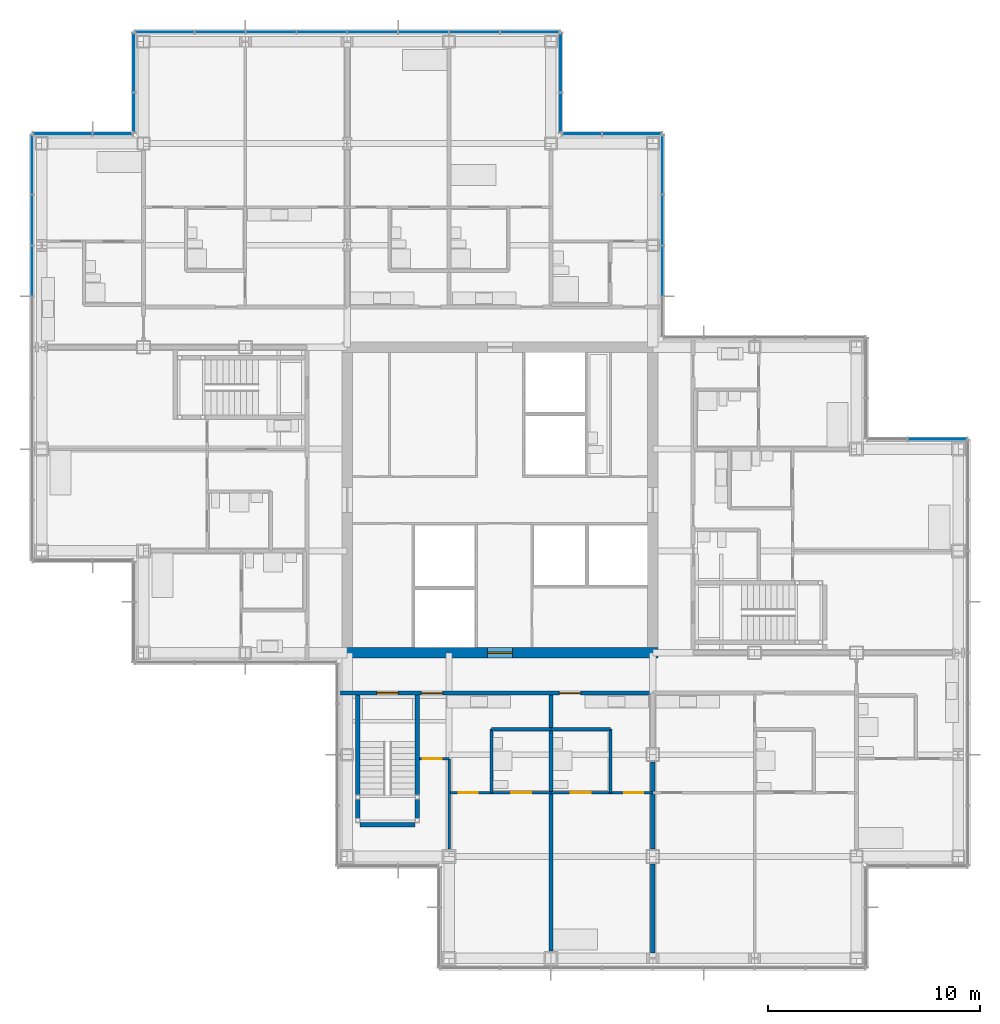
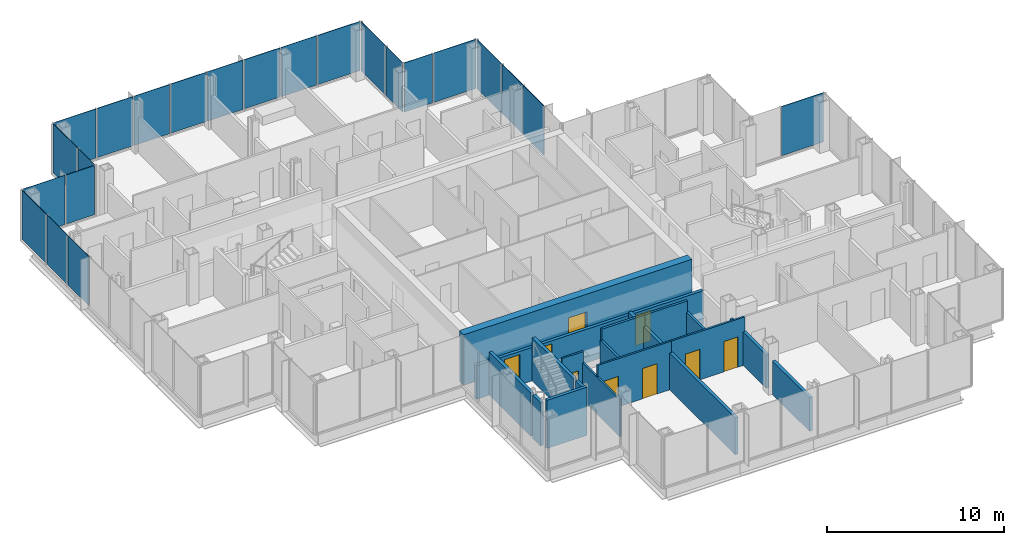
# One storey, part 12 of 19: 23 plates, 18 walls, 9 doors, 9 openings, 8 elements without a shape of their own.
"""IFC4 building model written with IfcOpenShell, lengths in metres."""

import ifcopenshell
import ifcopenshell.guid

model = None  # the IFC model being written
_history = None  # IfcOwnerHistory: only IFC2X3 demands one
_inside = {}  # id of a spatial element -> (the spatial element, [elements in it])
_under = {}  # id of a project, library or spatial element -> (it, [spatial elements below it])
_declared = {}  # id of a project -> (the project, [libraries it declares])
_typed = {}  # id of a type object -> (the type object, [elements of that type])
_made_of = {}  # id of a material, layer set ... -> (it, [elements and type objects made of it])


def new_model(schema):
    """Start an empty IFC model of exactly this schema.

    Asked for "IFC4X3", IfcOpenShell would pick the latest addendum, in which some entities
    have other attributes; the version numbers below select the first issue.
    IFC2X3 requires an IfcOwnerHistory on every rooted entity: one is made here for all.
    """
    global model, _history
    if schema == "IFC4X3":
        model = ifcopenshell.file(schema_version=(4, 3, 0, 0))
    else:
        model = ifcopenshell.file(schema=schema)
    _inside.clear()
    _under.clear()
    _declared.clear()
    _typed.clear()
    _made_of.clear()
    _history = None
    if model.schema == "IFC2X3":
        org = make("IfcOrganization", Name="unknown")
        user = make(
            "IfcPersonAndOrganization",
            ThePerson=make("IfcPerson", FamilyName="unknown"),
            TheOrganization=org,
        )
        app = make(
            "IfcApplication",
            ApplicationDeveloper=org,
            Version="unknown",
            ApplicationFullName="unknown",
            ApplicationIdentifier="unknown",
        )
        _history = make(
            "IfcOwnerHistory",
            OwningUser=user,
            OwningApplication=app,
            ChangeAction="ADDED",
            CreationDate=0,
        )
    return model


def make(cls, **values):
    """One entity of the class cls with the attributes given. An attribute that is None is left unset."""
    return model.create_entity(
        cls, **{name: value for name, value in values.items() if value is not None}
    )


def rooted(cls, **values):
    """An entity with a GlobalId (a new one), such as an element, a storey or a relation."""
    return make(cls, GlobalId=ifcopenshell.guid.new(), OwnerHistory=_history, **values)


def si_unit(unit_type, name, prefix=None):
    """IfcSIUnit, for example si_unit("LENGTHUNIT", "METRE", prefix="MILLI")."""
    return make("IfcSIUnit", UnitType=unit_type, Prefix=prefix, Name=name)


def assignment(units):
    """IfcUnitAssignment: the units of a project."""
    return None if units is None else make("IfcUnitAssignment", Units=units)


def point(xyz):
    """IfcCartesianPoint."""
    return None if xyz is None else make("IfcCartesianPoint", Coordinates=xyz)


def direction(xyz):
    """IfcDirection."""
    return None if xyz is None else make("IfcDirection", DirectionRatios=xyz)


def frame(location, z_axis=None, x_axis=None):
    """IfcAxis2Placement3D, a coordinate frame: its origin and axes. An axis left out is left unset."""
    return make(
        "IfcAxis2Placement3D",
        Location=point(location),
        Axis=direction(z_axis),
        RefDirection=direction(x_axis),
    )


def frame_2d(location, x_axis=None):
    """IfcAxis2Placement2D, a coordinate frame in the plane: its origin and x axis."""
    return make(
        "IfcAxis2Placement2D", Location=point(location), RefDirection=direction(x_axis)
    )


def origin():
    """The frame at (0, 0, 0) with its axes left unset."""
    return frame((0.0, 0.0, 0.0))


def origin_2d():
    """The frame at (0, 0) in the plane with its x axis left unset."""
    return frame_2d((0.0, 0.0))


def place(relative_to, where):
    """IfcLocalPlacement: puts the frame where relative to a parent placement (None: the world)."""
    return make(
        "IfcLocalPlacement", PlacementRelTo=relative_to, RelativePlacement=where
    )


def context(
    kind, dimensions, precision=None, world=None, true_north=None, identifier=None
):
    """IfcGeometricRepresentationContext, for example the 3D "Model" context."""
    return make(
        "IfcGeometricRepresentationContext",
        ContextIdentifier=identifier,
        ContextType=kind,
        CoordinateSpaceDimension=dimensions,
        Precision=precision,
        WorldCoordinateSystem=world,
        TrueNorth=true_north,
    )


def subcontext(parent, identifier, kind, view, scale=None):
    """IfcGeometricRepresentationSubContext, for example "Body" below "Model"."""
    return make(
        "IfcGeometricRepresentationSubContext",
        ContextIdentifier=identifier,
        ContextType=kind,
        ParentContext=parent,
        TargetScale=scale,
        TargetView=view,
    )


def project(units=None, contexts=None):
    """IfcProject with its units and contexts."""
    return rooted(
        "IfcProject",
        Name="project",
        RepresentationContexts=contexts,
        UnitsInContext=assignment(units),
    )


def spatial(cls, under=None, at=None, **own):
    """A site, building, storey or space (cls), placed at a placement, below another one or the project."""
    s = rooted(cls, ObjectPlacement=at, **own)
    if under is not None:
        _under.setdefault(under.id(), (under, []))[1].append(s)
    return s


def profile(cls, at=None, kind="AREA", **sizes):
    """A parametric profile (cls). Its sizes go by their IFC names, for example OverallWidth=200.0."""
    return make(cls, ProfileType=kind, Position=at, **sizes)


def rectangle(**sizes):
    """IfcRectangleProfileDef."""
    return profile("IfcRectangleProfileDef", **sizes)


def extrude(swept, where, along, depth):
    """IfcExtrudedAreaSolid: the profile swept, set in the frame where, extruded along a direction by depth."""
    return make(
        "IfcExtrudedAreaSolid",
        SweptArea=swept,
        Position=where,
        ExtrudedDirection=direction(along),
        Depth=depth,
    )


def shape(context_of_items, identifier, shape_type, items):
    """IfcShapeRepresentation: the items that make up one representation, for example the "Body"."""
    return make(
        "IfcShapeRepresentation",
        ContextOfItems=context_of_items,
        RepresentationIdentifier=identifier,
        RepresentationType=shape_type,
        Items=items,
    )


def material(Name=None, Category=None):
    """IfcMaterial."""
    return make("IfcMaterial", Name=Name, Category=Category)


def layer(
    of_material, thickness, ventilated=None, Name=None, Category=None, Priority=None
):
    """IfcMaterialLayer: one layer of a wall or slab, of a material (None: an air gap)."""
    return make(
        "IfcMaterialLayer",
        Material=of_material,
        LayerThickness=thickness,
        IsVentilated=ventilated,
        Name=Name,
        Category=Category,
        Priority=Priority,
    )


def layer_set(layers, Name=None):
    """IfcMaterialLayerSet."""
    return make("IfcMaterialLayerSet", MaterialLayers=layers, LayerSetName=Name)


def made_of(thing, what):
    """Note that an element or type object is made of a material, layer set ...; save() writes the relation."""
    if what is not None:
        _made_of.setdefault(what.id(), (what, []))[1].append(thing)
    return thing


def type_object(cls, material=None, **own):
    """A type object (cls), such as IfcWallType, which elements share."""
    return made_of(rooted(cls, **own), material)


def element(
    cls,
    number,
    at=None,
    inside=None,
    cuts=None,
    type_object=None,
    material=None,
    context=None,
    identifier="Body",
    shape_type=None,
    held_by="IfcProductDefinitionShape",
    body=None,
    shapes=None,
    **own,
):
    """One element of the class cls, such as IfcWall. Its Tag is "e" and its number.

    at: its placement. inside: the storey or other place that contains it. cuts: it is an
    opening in that element (IfcRelVoidsElement). A single representation is given by context,
    identifier, shape_type and body (its items); several are given by shapes. held_by: the class
    of the entity that holds the representations. save() writes the other relations.
    """
    e = rooted(cls, Tag="e%d" % number, ObjectPlacement=at, **own)
    if body is not None:
        shapes = [shape(context, identifier, shape_type, body)]
    if shapes is not None:
        e.Representation = make(held_by, Representations=shapes)
    if inside is not None:
        _inside.setdefault(inside.id(), (inside, []))[1].append(e)
    if cuts is not None:
        rooted(
            "IfcRelVoidsElement", RelatingBuildingElement=cuts, RelatedOpeningElement=e
        )
    if type_object is not None:
        _typed.setdefault(type_object.id(), (type_object, []))[1].append(e)
    return made_of(e, material)


def fill(opening, filler):
    """IfcRelFillsElement: the door or window that sits in an opening."""
    return rooted(
        "IfcRelFillsElement",
        RelatingOpeningElement=opening,
        RelatedBuildingElement=filler,
    )


def aggregate(whole, parts):
    """IfcRelAggregates: a whole, such as a stair, and the parts it consists of."""
    return rooted("IfcRelAggregates", RelatingObject=whole, RelatedObjects=parts)


def save(model, path):
    """Write the relations noted so far, then the file.

    IfcRelAggregates (storeys below a building ...), IfcRelContainedInSpatialStructure (elements
    in a storey), IfcRelDefinesByType, IfcRelAssociatesMaterial and IfcRelDeclares: one each for
    every whole, place, type object, material and project.
    """
    for whole, parts in _under.values():
        aggregate(whole, parts)
    for where, things in _inside.values():
        rooted(
            "IfcRelContainedInSpatialStructure",
            RelatedElements=things,
            RelatingStructure=where,
        )
    for kind, things in _typed.values():
        rooted("IfcRelDefinesByType", RelatedObjects=things, RelatingType=kind)
    for what, things in _made_of.values():
        rooted("IfcRelAssociatesMaterial", RelatedObjects=things, RelatingMaterial=what)
    for by, libraries in _declared.values():
        rooted("IfcRelDeclares", RelatingContext=by, RelatedDefinitions=libraries)
    model.write(path)


model = new_model("IFC4")

# Units and contexts
model_context = context("Model", 3, precision=1e-05, world=origin(), true_north=direction((0.0, 1.0)))
body_context = subcontext(model_context, "Body", "Model", "MODEL_VIEW")
ifc_project = project(units=[si_unit("LENGTHUNIT", "METRE"), si_unit("AREAUNIT", "SQUARE_METRE"), si_unit("VOLUMEUNIT", "CUBIC_METRE"), si_unit("PLANEANGLEUNIT", "RADIAN"), si_unit("MASSUNIT", "GRAM", prefix="KILO")], contexts=[model_context])

# Site, building, storey
site_placement = place(None, origin())
site = spatial("IfcSite", under=ifc_project, at=site_placement, CompositionType="ELEMENT")
building_placement = place(site_placement, origin())
building = spatial("IfcBuilding", under=site, at=building_placement, Name="Kvirike Care Tower", CompositionType="ELEMENT")
storey_placement = place(building_placement, frame((0.0, 0.0, 98.0)))
storey = spatial("IfcBuildingStorey", under=building, at=storey_placement, Name="L26", CompositionType="ELEMENT", Elevation=98.0)

# Curtain wall, plate
ifc_material_1 = material(Name="Anodised aluminium stick system", Category="aluminium")
curtain_wall_type = type_object("IfcCurtainWallType", Name="CW-B STICK CURTAIN WALL", PredefinedType="NOTDEFINED", material=ifc_material_1)
curtain_wall_1_placement = place(storey_placement, origin())
curtain_wall_1 = element("IfcCurtainWall", 1, at=curtain_wall_1_placement, inside=storey, type_object=curtain_wall_type, Name="Curtain wall L26 face 2", PredefinedType="NOTDEFINED")
ifc_material_2 = material(Name="Tinted double glazed unit", Category="glass")
ifc_layer_1 = layer(ifc_material_2, 0.035888671875)
ifc_layer_set_1 = layer_set([ifc_layer_1], Name="TINTED VISION PANEL 36")
plate_type = type_object("IfcPlateType", Name="TINTED VISION PANEL 36", PredefinedType="CURTAIN_PANEL", material=ifc_layer_set_1)
plate_1_placement = place(storey_placement, frame((42.2138671875, 38.860107421875, 0.10009765625), z_axis=(0.0, 0.0, 1.0), x_axis=(-1.0, 0.0, 0.0)))
plate_1 = element("IfcPlate", 2, at=plate_1_placement, type_object=plate_type, Name="CW-B panel L26 face 2.1", PredefinedType="CURTAIN_PANEL", context=body_context, shape_type="SweptSolid", body=[
    extrude(rectangle(XDim=2.762451171875, YDim=0.035888671875, at=origin_2d()), origin(), (0.0, 0.0, 1.0), 3.39990234375),
])
aggregate(curtain_wall_1, [plate_1])

# Curtain wall, plates
curtain_wall_2_placement = place(storey_placement, origin())
curtain_wall_2 = element("IfcCurtainWall", 3, at=curtain_wall_2_placement, inside=storey, type_object=curtain_wall_type, Name="Curtain wall L26 face 5", PredefinedType="NOTDEFINED")
plate_2_placement = place(storey_placement, frame((29.260009765625, 46.800048828125, 0.10009765625), z_axis=(0.0, 0.0, 1.0), x_axis=(0.0, 1.0, 0.0)))
plate_2 = element("IfcPlate", 4, at=plate_2_placement, type_object=plate_type, Name="CW-B panel L26 face 5.2", PredefinedType="CURTAIN_PANEL", context=body_context, shape_type="SweptSolid", body=[
    extrude(rectangle(XDim=2.3349609375, YDim=0.035888671875, at=origin_2d()), origin(), (0.0, 0.0, 1.0), 3.39990234375),
])
plate_3_placement = place(storey_placement, frame((29.260009765625, 49.199951171875, 0.10009765625), z_axis=(0.0, 0.0, 1.0), x_axis=(0.0, 1.0, 0.0)))
plate_3 = element("IfcPlate", 5, at=plate_3_placement, type_object=plate_type, Name="CW-B panel L26 face 5.3", PredefinedType="CURTAIN_PANEL", context=body_context, shape_type="SweptSolid", body=[
    extrude(rectangle(XDim=2.3349609375, YDim=0.035888671875, at=origin_2d()), origin(), (0.0, 0.0, 1.0), 3.39990234375),
])
plate_4_placement = place(storey_placement, frame((29.260009765625, 51.813720703125, 0.10009765625), z_axis=(0.0, 0.0, 1.0), x_axis=(0.0, 1.0, 0.0)))
plate_4 = element("IfcPlate", 6, at=plate_4_placement, type_object=plate_type, Name="CW-B panel L26 face 5.4", PredefinedType="CURTAIN_PANEL", context=body_context, shape_type="SweptSolid", body=[
    extrude(rectangle(XDim=2.762451171875, YDim=0.035888671875, at=origin_2d()), origin(), (0.0, 0.0, 1.0), 3.39990234375),
])
aggregate(curtain_wall_2, [plate_2, plate_3, plate_4])

curtain_wall_3_placement = place(storey_placement, origin())
curtain_wall_3 = element("IfcCurtainWall", 7, at=curtain_wall_3_placement, inside=storey, type_object=curtain_wall_type, Name="Curtain wall L26 face 6", PredefinedType="NOTDEFINED")
plate_5_placement = place(storey_placement, frame((27.813720703125, 53.260009765625, 0.10009765625), z_axis=(0.0, 0.0, 1.0), x_axis=(-1.0, 0.0, 0.0)))
plate_5 = element("IfcPlate", 8, at=plate_5_placement, type_object=plate_type, Name="CW-B panel L26 face 6.1", PredefinedType="CURTAIN_PANEL", context=body_context, shape_type="SweptSolid", body=[
    extrude(rectangle(XDim=2.762451171875, YDim=0.035888671875, at=origin_2d()), origin(), (0.0, 0.0, 1.0), 3.39990234375),
])
plate_6_placement = place(storey_placement, frame((25.4462890625, 53.260009765625, 0.10009765625), z_axis=(0.0, 0.0, 1.0), x_axis=(-1.0, 0.0, 0.0)))
plate_6 = element("IfcPlate", 9, at=plate_6_placement, type_object=plate_type, Name="CW-B panel L26 face 6.2", PredefinedType="CURTAIN_PANEL", context=body_context, shape_type="SweptSolid", body=[
    extrude(rectangle(XDim=1.842529296875, YDim=0.035888671875, at=origin_2d()), origin(), (0.0, 0.0, 1.0), 3.39990234375),
])
aggregate(curtain_wall_3, [plate_5, plate_6])

curtain_wall_4_placement = place(storey_placement, origin())
curtain_wall_4 = element("IfcCurtainWall", 10, at=curtain_wall_4_placement, inside=storey, type_object=curtain_wall_type, Name="Curtain wall L26 face 7", PredefinedType="NOTDEFINED")
plate_7_placement = place(storey_placement, frame((24.4599609375, 54.246337890625, 0.10009765625), z_axis=(0.0, 0.0, 1.0), x_axis=(0.0, 1.0, 0.0)))
plate_7 = element("IfcPlate", 11, at=plate_7_placement, type_object=plate_type, Name="CW-B panel L26 face 7.1", PredefinedType="CURTAIN_PANEL", context=body_context, shape_type="SweptSolid", body=[
    extrude(rectangle(XDim=1.842529296875, YDim=0.035888671875, at=origin_2d()), origin(), (0.0, 0.0, 1.0), 3.39990234375),
])
plate_8_placement = place(storey_placement, frame((24.4599609375, 56.61376953125, 0.10009765625), z_axis=(0.0, 0.0, 1.0), x_axis=(0.0, 1.0, 0.0)))
plate_8 = element("IfcPlate", 12, at=plate_8_placement, type_object=plate_type, Name="CW-B panel L26 face 7.2", PredefinedType="CURTAIN_PANEL", context=body_context, shape_type="SweptSolid", body=[
    extrude(rectangle(XDim=2.762451171875, YDim=0.035888671875, at=origin_2d()), origin(), (0.0, 0.0, 1.0), 3.39990234375),
])
aggregate(curtain_wall_4, [plate_7, plate_8])

curtain_wall_5_placement = place(storey_placement, origin())
curtain_wall_5 = element("IfcCurtainWall", 13, at=curtain_wall_5_placement, inside=storey, type_object=curtain_wall_type, Name="Curtain wall L26 face 8", PredefinedType="NOTDEFINED")
plate_9_placement = place(storey_placement, frame((23.013671875, 58.06005859375, 0.10009765625), z_axis=(0.0, 0.0, 1.0), x_axis=(-1.0, 0.0, 0.0)))
plate_9 = element("IfcPlate", 14, at=plate_9_placement, type_object=plate_type, Name="CW-B panel L26 face 8.1", PredefinedType="CURTAIN_PANEL", context=body_context, shape_type="SweptSolid", body=[
    extrude(rectangle(XDim=2.762451171875, YDim=0.035888671875, at=origin_2d()), origin(), (0.0, 0.0, 1.0), 3.39990234375),
])
plate_10_placement = place(storey_placement, frame((20.39990234375, 58.06005859375, 0.10009765625), z_axis=(0.0, 0.0, 1.0), x_axis=(-1.0, 0.0, 0.0)))
plate_10 = element("IfcPlate", 15, at=plate_10_placement, type_object=plate_type, Name="CW-B panel L26 face 8.2", PredefinedType="CURTAIN_PANEL", context=body_context, shape_type="SweptSolid", body=[
    extrude(rectangle(XDim=2.3349609375, YDim=0.035888671875, at=origin_2d()), origin(), (0.0, 0.0, 1.0), 3.39990234375),
])
plate_11_placement = place(storey_placement, frame((18.0, 58.06005859375, 0.10009765625), z_axis=(0.0, 0.0, 1.0), x_axis=(-1.0, 0.0, 0.0)))
plate_11 = element("IfcPlate", 16, at=plate_11_placement, type_object=plate_type, Name="CW-B panel L26 face 8.3", PredefinedType="CURTAIN_PANEL", context=body_context, shape_type="SweptSolid", body=[
    extrude(rectangle(XDim=2.3349609375, YDim=0.035888671875, at=origin_2d()), origin(), (0.0, 0.0, 1.0), 3.39990234375),
])
plate_12_placement = place(storey_placement, frame((15.60009765625, 58.06005859375, 0.10009765625), z_axis=(0.0, 0.0, 1.0), x_axis=(-1.0, 0.0, 0.0)))
plate_12 = element("IfcPlate", 17, at=plate_12_placement, type_object=plate_type, Name="CW-B panel L26 face 8.4", PredefinedType="CURTAIN_PANEL", context=body_context, shape_type="SweptSolid", body=[
    extrude(rectangle(XDim=2.3349609375, YDim=0.035888671875, at=origin_2d()), origin(), (0.0, 0.0, 1.0), 3.39990234375),
])
plate_13_placement = place(storey_placement, frame((13.199951171875, 58.06005859375, 0.10009765625), z_axis=(0.0, 0.0, 1.0), x_axis=(-1.0, 0.0, 0.0)))
plate_13 = element("IfcPlate", 18, at=plate_13_placement, type_object=plate_type, Name="CW-B panel L26 face 8.5", PredefinedType="CURTAIN_PANEL", context=body_context, shape_type="SweptSolid", body=[
    extrude(rectangle(XDim=2.3349609375, YDim=0.035888671875, at=origin_2d()), origin(), (0.0, 0.0, 1.0), 3.39990234375),
])
plate_14_placement = place(storey_placement, frame((10.800048828125, 58.06005859375, 0.10009765625), z_axis=(0.0, 0.0, 1.0), x_axis=(-1.0, 0.0, 0.0)))
plate_14 = element("IfcPlate", 19, at=plate_14_placement, type_object=plate_type, Name="CW-B panel L26 face 8.6", PredefinedType="CURTAIN_PANEL", context=body_context, shape_type="SweptSolid", body=[
    extrude(rectangle(XDim=2.3349609375, YDim=0.035888671875, at=origin_2d()), origin(), (0.0, 0.0, 1.0), 3.39990234375),
])
plate_15_placement = place(storey_placement, frame((8.39990234375, 58.06005859375, 0.10009765625), z_axis=(0.0, 0.0, 1.0), x_axis=(-1.0, 0.0, 0.0)))
plate_15 = element("IfcPlate", 20, at=plate_15_placement, type_object=plate_type, Name="CW-B panel L26 face 8.7", PredefinedType="CURTAIN_PANEL", context=body_context, shape_type="SweptSolid", body=[
    extrude(rectangle(XDim=2.3349609375, YDim=0.035888671875, at=origin_2d()), origin(), (0.0, 0.0, 1.0), 3.39990234375),
])
plate_16_placement = place(storey_placement, frame((5.7861328125, 58.06005859375, 0.10009765625), z_axis=(0.0, 0.0, 1.0), x_axis=(-1.0, 0.0, 0.0)))
plate_16 = element("IfcPlate", 21, at=plate_16_placement, type_object=plate_type, Name="CW-B panel L26 face 8.8", PredefinedType="CURTAIN_PANEL", context=body_context, shape_type="SweptSolid", body=[
    extrude(rectangle(XDim=2.762451171875, YDim=0.035888671875, at=origin_2d()), origin(), (0.0, 0.0, 1.0), 3.39990234375),
])
aggregate(curtain_wall_5, [plate_9, plate_10, plate_11, plate_12, plate_13, plate_14, plate_15, plate_16])

curtain_wall_6_placement = place(storey_placement, origin())
curtain_wall_6 = element("IfcCurtainWall", 22, at=curtain_wall_6_placement, inside=storey, type_object=curtain_wall_type, Name="Curtain wall L26 face 9", PredefinedType="NOTDEFINED")
plate_17_placement = place(storey_placement, frame((4.340087890625, 56.61376953125, 0.10009765625), z_axis=(0.0, 0.0, 1.0), x_axis=(0.0, -1.0, 0.0)))
plate_17 = element("IfcPlate", 23, at=plate_17_placement, type_object=plate_type, Name="CW-B panel L26 face 9.1", PredefinedType="CURTAIN_PANEL", context=body_context, shape_type="SweptSolid", body=[
    extrude(rectangle(XDim=2.762451171875, YDim=0.035888671875, at=origin_2d()), origin(), (0.0, 0.0, 1.0), 3.39990234375),
])
plate_18_placement = place(storey_placement, frame((4.340087890625, 54.246337890625, 0.10009765625), z_axis=(0.0, 0.0, 1.0), x_axis=(0.0, -1.0, 0.0)))
plate_18 = element("IfcPlate", 24, at=plate_18_placement, type_object=plate_type, Name="CW-B panel L26 face 9.2", PredefinedType="CURTAIN_PANEL", context=body_context, shape_type="SweptSolid", body=[
    extrude(rectangle(XDim=1.842529296875, YDim=0.035888671875, at=origin_2d()), origin(), (0.0, 0.0, 1.0), 3.39990234375),
])
aggregate(curtain_wall_6, [plate_17, plate_18])

curtain_wall_7_placement = place(storey_placement, origin())
curtain_wall_7 = element("IfcCurtainWall", 25, at=curtain_wall_7_placement, inside=storey, type_object=curtain_wall_type, Name="Curtain wall L26 face 10", PredefinedType="NOTDEFINED")
plate_19_placement = place(storey_placement, frame((3.353759765625, 53.260009765625, 0.10009765625), z_axis=(0.0, 0.0, 1.0), x_axis=(-1.0, 0.0, 0.0)))
plate_19 = element("IfcPlate", 26, at=plate_19_placement, type_object=plate_type, Name="CW-B panel L26 face 10.1", PredefinedType="CURTAIN_PANEL", context=body_context, shape_type="SweptSolid", body=[
    extrude(rectangle(XDim=1.842529296875, YDim=0.035888671875, at=origin_2d()), origin(), (0.0, 0.0, 1.0), 3.39990234375),
])
plate_20_placement = place(storey_placement, frame((0.986328125, 53.260009765625, 0.10009765625), z_axis=(0.0, 0.0, 1.0), x_axis=(-1.0, 0.0, 0.0)))
plate_20 = element("IfcPlate", 27, at=plate_20_placement, type_object=plate_type, Name="CW-B panel L26 face 10.2", PredefinedType="CURTAIN_PANEL", context=body_context, shape_type="SweptSolid", body=[
    extrude(rectangle(XDim=2.762451171875, YDim=0.035888671875, at=origin_2d()), origin(), (0.0, 0.0, 1.0), 3.39990234375),
])
aggregate(curtain_wall_7, [plate_19, plate_20])

curtain_wall_8_placement = place(storey_placement, origin())
curtain_wall_8 = element("IfcCurtainWall", 28, at=curtain_wall_8_placement, inside=storey, type_object=curtain_wall_type, Name="Curtain wall L26 face 11", PredefinedType="NOTDEFINED")
plate_21_placement = place(storey_placement, frame((-0.4599609375, 51.813720703125, 0.10009765625), z_axis=(0.0, 0.0, 1.0), x_axis=(0.0, -1.0, 0.0)))
plate_21 = element("IfcPlate", 29, at=plate_21_placement, type_object=plate_type, Name="CW-B panel L26 face 11.1", PredefinedType="CURTAIN_PANEL", context=body_context, shape_type="SweptSolid", body=[
    extrude(rectangle(XDim=2.762451171875, YDim=0.035888671875, at=origin_2d()), origin(), (0.0, 0.0, 1.0), 3.39990234375),
])
plate_22_placement = place(storey_placement, frame((-0.4599609375, 49.199951171875, 0.10009765625), z_axis=(0.0, 0.0, 1.0), x_axis=(0.0, -1.0, 0.0)))
plate_22 = element("IfcPlate", 30, at=plate_22_placement, type_object=plate_type, Name="CW-B panel L26 face 11.2", PredefinedType="CURTAIN_PANEL", context=body_context, shape_type="SweptSolid", body=[
    extrude(rectangle(XDim=2.3349609375, YDim=0.035888671875, at=origin_2d()), origin(), (0.0, 0.0, 1.0), 3.39990234375),
])
plate_23_placement = place(storey_placement, frame((-0.4599609375, 46.800048828125, 0.10009765625), z_axis=(0.0, 0.0, 1.0), x_axis=(0.0, -1.0, 0.0)))
plate_23 = element("IfcPlate", 31, at=plate_23_placement, type_object=plate_type, Name="CW-B panel L26 face 11.3", PredefinedType="CURTAIN_PANEL", context=body_context, shape_type="SweptSolid", body=[
    extrude(rectangle(XDim=2.3349609375, YDim=0.035888671875, at=origin_2d()), origin(), (0.0, 0.0, 1.0), 3.39990234375),
])
aggregate(curtain_wall_8, [plate_21, plate_22, plate_23])

# Walls
ifc_material_3 = material(Name="Moisture-resistant board partition", Category="gypsum")
ifc_layer_2 = layer(ifc_material_3, 0.14990234375)
ifc_layer_set_2 = layer_set([ifc_layer_2], Name="BATHROOM WALL 150")
wall_type_1 = type_object("IfcWallType", Name="BATHROOM WALL 150", PredefinedType="PARTITIONING", material=ifc_layer_set_2)
wall_1_placement = place(storey_placement, frame((21.199951171875, 22.199951171875, 0.0), z_axis=(0.0, 0.0, 1.0), x_axis=(0.0, 1.0, 0.0)))
element("IfcWall", 32, at=wall_1_placement, inside=storey, type_object=wall_type_1, Name="Bathroom Wall 150 L26", PredefinedType="PARTITIONING", context=body_context, shape_type="SweptSolid", body=[
    extrude(rectangle(XDim=3.0, YDim=0.14990234375, at=frame_2d((1.5, 0.0))), origin(), (0.0, 0.0, 1.0), 2.550048828125),
])
wall_2_placement = place(storey_placement, frame((21.199951171875, 25.199951171875, 0.0), z_axis=(0.0, 0.0, 1.0), x_axis=(1.0, 0.0, 0.0)))
element("IfcWall", 33, at=wall_2_placement, inside=storey, type_object=wall_type_1, Name="Bathroom Wall 150 L26", PredefinedType="PARTITIONING", context=body_context, shape_type="SweptSolid", body=[
    extrude(rectangle(XDim=2.800048828125, YDim=0.14990234375, at=frame_2d((1.39990234375, 0.0))), origin(), (0.0, 0.0, 1.0), 3.330078125),
])
wall_3_placement = place(storey_placement, frame((26.800048828125, 22.199951171875, 0.0), z_axis=(0.0, 0.0, 1.0), x_axis=(0.0, 1.0, 0.0)))
element("IfcWall", 34, at=wall_3_placement, inside=storey, type_object=wall_type_1, Name="Bathroom Wall 150 L26", PredefinedType="PARTITIONING", context=body_context, shape_type="SweptSolid", body=[
    extrude(rectangle(XDim=3.0, YDim=0.14990234375, at=frame_2d((1.5, 0.0))), origin(), (0.0, 0.0, 1.0), 2.550048828125),
])
wall_4_placement = place(storey_placement, frame((24.0, 25.199951171875, 0.0), z_axis=(0.0, 0.0, 1.0), x_axis=(1.0, 0.0, 0.0)))
element("IfcWall", 35, at=wall_4_placement, inside=storey, type_object=wall_type_1, Name="Bathroom Wall 150 L26", PredefinedType="PARTITIONING", context=body_context, shape_type="SweptSolid", body=[
    extrude(rectangle(XDim=2.800048828125, YDim=0.14990234375, at=frame_2d((1.39990234375, 0.0))), origin(), (0.0, 0.0, 1.0), 3.330078125),
])

# Wall, opening, door
ifc_material_4 = material(Name="Concrete C50/60", Category="concrete")
ifc_layer_3 = layer(ifc_material_4, 0.5)
ifc_layer_set_3 = layer_set([ifc_layer_3], Name="CORE WALL 500 C50-60")
wall_type_2 = type_object("IfcWallType", Name="CORE WALL 500 C50-60", PredefinedType="SHEAR", material=ifc_layer_set_3)
wall_5_placement = place(storey_placement, frame((14.14990234375, 28.800048828125, -0.169921875), z_axis=(0.0, 0.0, 1.0), x_axis=(1.0, 0.0, 0.0)))
wall_5 = element("IfcWall", 36, at=wall_5_placement, inside=storey, type_object=wall_type_2, Name="Core wall S L26", PredefinedType="SHEAR", context=body_context, shape_type="SweptSolid", body=[
    extrude(rectangle(XDim=14.900146484375, YDim=0.5, at=frame_2d((7.4501953125, 0.0))), origin(), (0.0, 0.0, 1.0), 3.5),
])
opening_1_placement = place(wall_5_placement, frame((6.85009765625, 0.0, 0.169921875)))
opening_1 = element("IfcOpeningElement", 37, at=opening_1_placement, cuts=wall_5, Name="Opening 26-064", PredefinedType="OPENING", context=body_context, shape_type="SweptSolid", body=[
    extrude(rectangle(XDim=1.199951171875, YDim=2.10009765625, at=frame_2d((0.60009765625, 1.050048828125))), frame((0.0, 0.260498046875, 0.0), z_axis=(0.0, -1.0, 0.0), x_axis=(1.0, 0.0, 0.0)), (0.0, 0.0, 1.0), 0.52099609375),
])
ifc_material_5 = material(Name="Timber door set", Category="wood")
door_type_1 = type_object("IfcDoorType", Name="CORE DOOR 1200", OperationType="SINGLE_SWING_LEFT", PredefinedType="DOOR", material=ifc_material_5)
door_1_placement = place(opening_1_placement, origin())
door_1 = element("IfcDoor", 38, at=door_1_placement, inside=storey, type_object=door_type_1, Name="Core door S L26", OperationType="SINGLE_SWING_LEFT", OverallHeight=2.10009765625, OverallWidth=1.199951171875, PredefinedType="DOOR", context=body_context, shape_type="SweptSolid", body=[
    extrude(rectangle(XDim=1.199951171875, YDim=2.10009765625, at=frame_2d((0.60009765625, 1.050048828125))), frame((0.0, 0.02685546875, 0.0), z_axis=(0.0, -1.0, 0.0), x_axis=(1.0, 0.0, 0.0)), (0.0, 0.0, 1.0), 0.053955078125),
])
fill(opening_1, door_1)

# Wall, openings, doors
ifc_material_6 = material(Name="Plasterboard corridor wall", Category="gypsum")
ifc_layer_4 = layer(ifc_material_6, 0.199951171875)
ifc_layer_set_4 = layer_set([ifc_layer_4], Name="CORRIDOR WALL 200")
wall_type_3 = type_object("IfcWallType", Name="CORRIDOR WALL 200", PredefinedType="PARTITIONING", material=ifc_layer_set_4)
wall_6_placement = place(storey_placement, frame((13.9599609375, 26.89990234375, 0.0), z_axis=(0.0, 0.0, 1.0), x_axis=(1.0, 0.0, 0.0)))
wall_6 = element("IfcWall", 39, at=wall_6_placement, inside=storey, type_object=wall_type_3, Name="Corridor Wall 200 L26", PredefinedType="PARTITIONING", context=body_context, shape_type="SweptSolid", body=[
    extrude(rectangle(XDim=14.840087890625, YDim=0.199951171875, at=frame_2d((7.419921875, 0.0))), origin(), (0.0, 0.0, 1.0), 2.320068359375),
])
opening_2_placement = place(wall_6_placement, frame((1.840087890625, 0.0, 0.0)))
opening_2 = element("IfcOpeningElement", 40, at=opening_2_placement, cuts=wall_6, Name="Opening 26-023", PredefinedType="OPENING", context=body_context, shape_type="SweptSolid", body=[
    extrude(rectangle(XDim=1.0, YDim=2.10009765625, at=frame_2d((0.5, 1.050048828125))), frame((0.0, 0.110595703125, 0.0), z_axis=(0.0, -1.0, 0.0), x_axis=(1.0, 0.0, 0.0)), (0.0, 0.0, 1.0), 0.220947265625),
])
opening_3_placement = place(wall_6_placement, frame((3.93994140625, 0.0, 0.0)))
opening_3 = element("IfcOpeningElement", 41, at=opening_3_placement, cuts=wall_6, Name="Opening 26-024", PredefinedType="OPENING", context=body_context, shape_type="SweptSolid", body=[
    extrude(rectangle(XDim=1.0, YDim=2.10009765625, at=frame_2d((0.5, 1.050048828125))), frame((0.0, 0.110595703125, 0.0), z_axis=(0.0, -1.0, 0.0), x_axis=(1.0, 0.0, 0.0)), (0.0, 0.0, 1.0), 0.220947265625),
])
opening_4_placement = place(wall_6_placement, frame((10.43994140625, 0.0, 0.0)))
opening_4 = element("IfcOpeningElement", 42, at=opening_4_placement, cuts=wall_6, Name="Opening 26-025", PredefinedType="OPENING", context=body_context, shape_type="SweptSolid", body=[
    extrude(rectangle(XDim=1.0, YDim=2.10009765625, at=frame_2d((0.5, 1.050048828125))), frame((0.0, 0.110595703125, 0.0), z_axis=(0.0, -1.0, 0.0), x_axis=(1.0, 0.0, 0.0)), (0.0, 0.0, 1.0), 0.220947265625),
])
ifc_material_7 = material(Name="Timber door set", Category="wood")
door_type_2 = type_object("IfcDoorType", Name="FLAT ENTRANCE DOOR 1000", OperationType="SINGLE_SWING_LEFT", PredefinedType="DOOR", material=ifc_material_7)
door_2_placement = place(opening_3_placement, frame((1.0, 0.0, 0.0), z_axis=(0.0, 0.0, 1.0), x_axis=(-1.0, 0.0, 0.0)))
door_2 = element("IfcDoor", 43, at=door_2_placement, inside=storey, type_object=door_type_2, Name="Accessible assisted living suite entrance", OperationType="SINGLE_SWING_LEFT", OverallHeight=2.10009765625, OverallWidth=1.0, PredefinedType="DOOR", context=body_context, shape_type="SweptSolid", body=[
    extrude(rectangle(XDim=1.0, YDim=2.10009765625, at=frame_2d((0.5, 1.050048828125))), frame((0.0, 0.02685546875, 0.0), z_axis=(0.0, -1.0, 0.0), x_axis=(1.0, 0.0, 0.0)), (0.0, 0.0, 1.0), 0.053955078125),
])
fill(opening_3, door_2)
door_3_placement = place(opening_4_placement, frame((1.0, 0.0, 0.0), z_axis=(0.0, 0.0, 1.0), x_axis=(-1.0, 0.0, 0.0)))
door_3 = element("IfcDoor", 44, at=door_3_placement, inside=storey, type_object=door_type_2, Name="Assisted living suite entrance", OperationType="SINGLE_SWING_LEFT", OverallHeight=2.10009765625, OverallWidth=1.0, PredefinedType="DOOR", context=body_context, shape_type="SweptSolid", body=[
    extrude(rectangle(XDim=1.0, YDim=2.10009765625, at=frame_2d((0.5, 1.050048828125))), frame((0.0, 0.02685546875, 0.0), z_axis=(0.0, -1.0, 0.0), x_axis=(1.0, 0.0, 0.0)), (0.0, 0.0, 1.0), 0.053955078125),
])
fill(opening_4, door_3)
ifc_material_8 = material(Name="Timber door set", Category="wood")
door_type_3 = type_object("IfcDoorType", Name="STAIR DOOR 1000", OperationType="SINGLE_SWING_LEFT", PredefinedType="DOOR", material=ifc_material_8)
door_4_placement = place(opening_2_placement, frame((1.0, 0.0, 0.0), z_axis=(0.0, 0.0, 1.0), x_axis=(-1.0, 0.0, 0.0)))
door_4 = element("IfcDoor", 45, at=door_4_placement, inside=storey, type_object=door_type_3, Name="Stair 5 door", OperationType="SINGLE_SWING_LEFT", OverallHeight=2.10009765625, OverallWidth=1.0, PredefinedType="DOOR", context=body_context, shape_type="SweptSolid", body=[
    extrude(rectangle(XDim=1.0, YDim=2.10009765625, at=frame_2d((0.5, 1.050048828125))), frame((0.0, 0.031982421875, 0.0), z_axis=(0.0, -1.0, 0.0), x_axis=(1.0, 0.0, 0.0)), (0.0, 0.0, 1.0), 0.06396484375),
])
fill(opening_2, door_4)

# Wall, opening, door
ifc_material_9 = material(Name="Plasterboard partition", Category="gypsum")
ifc_layer_5 = layer(ifc_material_9, 0.1201171875)
ifc_layer_set_5 = layer_set([ifc_layer_5], Name="PARTITION 120")
wall_type_4 = type_object("IfcWallType", Name="PARTITION 120", PredefinedType="PARTITIONING", material=ifc_layer_set_5)
wall_7_placement = place(storey_placement, frame((17.800048828125, 23.800048828125, 0.0), z_axis=(0.0, 0.0, 1.0), x_axis=(1.0, 0.0, 0.0)))
wall_7 = element("IfcWall", 46, at=wall_7_placement, inside=storey, type_object=wall_type_4, Name="Partition 120 L26", PredefinedType="PARTITIONING", context=body_context, shape_type="SweptSolid", body=[
    extrude(rectangle(XDim=1.39990234375, YDim=0.1201171875, at=frame_2d((0.699951171875, 0.0))), origin(), (0.0, 0.0, 1.0), 3.330078125),
])
opening_5_placement = place(wall_7_placement, frame((0.14990234375, 0.0, 0.0)))
opening_5 = element("IfcOpeningElement", 47, at=opening_5_placement, cuts=wall_7, Name="Opening 26-018", PredefinedType="OPENING", context=body_context, shape_type="SweptSolid", body=[
    extrude(rectangle(XDim=0.89990234375, YDim=2.10009765625, at=frame_2d((0.449951171875, 1.050048828125))), frame((0.0, 0.070556640625, 0.0), z_axis=(0.0, -1.0, 0.0), x_axis=(1.0, 0.0, 0.0)), (0.0, 0.0, 1.0), 0.14111328125),
])
ifc_material_10 = material(Name="Timber door set", Category="wood")
door_type_4 = type_object("IfcDoorType", Name="INTERNAL DOOR 900", OperationType="SINGLE_SWING_LEFT", PredefinedType="DOOR", material=ifc_material_10)
door_5_placement = place(opening_5_placement, frame((0.89990234375, 0.0, 0.0), z_axis=(0.0, 0.0, 1.0), x_axis=(-1.0, 0.0, 0.0)))
door_5 = element("IfcDoor", 48, at=door_5_placement, inside=storey, type_object=door_type_4, Name="Suite sitting room door", OperationType="SINGLE_SWING_LEFT", OverallHeight=2.10009765625, OverallWidth=0.89990234375, PredefinedType="DOOR", context=body_context, shape_type="SweptSolid", body=[
    extrude(rectangle(XDim=0.89990234375, YDim=2.10009765625, at=frame_2d((0.449951171875, 1.050048828125))), frame((0.0, 0.02197265625, 0.0), z_axis=(0.0, -1.0, 0.0), x_axis=(1.0, 0.0, 0.0)), (0.0, 0.0, 1.0), 0.0439453125),
])
fill(opening_5, door_5)

# Wall, openings, doors
wall_8_placement = place(storey_placement, frame((19.199951171875, 22.199951171875, 0.0), z_axis=(0.0, 0.0, 1.0), x_axis=(1.0, 0.0, 0.0)))
wall_8 = element("IfcWall", 49, at=wall_8_placement, inside=storey, type_object=wall_type_4, Name="Partition 120 L26", PredefinedType="PARTITIONING", context=body_context, shape_type="SweptSolid", body=[
    extrude(rectangle(XDim=4.800048828125, YDim=0.1201171875, at=frame_2d((2.39990234375, 0.0))), origin(), (0.0, 0.0, 1.0), 3.330078125),
])
opening_6_placement = place(wall_8_placement, frame((0.449951171875, 0.0, 0.0)))
opening_6 = element("IfcOpeningElement", 50, at=opening_6_placement, cuts=wall_8, Name="Opening 26-019", PredefinedType="OPENING", context=body_context, shape_type="SweptSolid", body=[
    extrude(rectangle(XDim=0.89990234375, YDim=2.10009765625, at=frame_2d((0.449951171875, 1.050048828125))), frame((0.0, 0.070556640625, 0.0), z_axis=(0.0, -1.0, 0.0), x_axis=(1.0, 0.0, 0.0)), (0.0, 0.0, 1.0), 0.14111328125),
])
opening_7_placement = place(wall_8_placement, frame((2.925048828125, 0.0, 0.0)))
opening_7 = element("IfcOpeningElement", 51, at=opening_7_placement, cuts=wall_8, Name="Opening 26-020", PredefinedType="OPENING", context=body_context, shape_type="SweptSolid", body=[
    extrude(rectangle(XDim=0.949951171875, YDim=2.10009765625, at=frame_2d((0.47509765625, 1.050048828125))), frame((0.0, 0.070556640625, 0.0), z_axis=(0.0, -1.0, 0.0), x_axis=(1.0, 0.0, 0.0)), (0.0, 0.0, 1.0), 0.14111328125),
])
ifc_material_11 = material(Name="Timber door set", Category="wood")
door_type_5 = type_object("IfcDoorType", Name="EN-SUITE SLIDING DOOR 950", OperationType="SLIDING_TO_LEFT", PredefinedType="DOOR", material=ifc_material_11)
door_6_placement = place(opening_7_placement, origin())
door_6 = element("IfcDoor", 52, at=door_6_placement, inside=storey, type_object=door_type_5, Name="En-suite door", OperationType="SLIDING_TO_LEFT", OverallHeight=2.10009765625, OverallWidth=0.949951171875, PredefinedType="DOOR", context=body_context, shape_type="SweptSolid", body=[
    extrude(rectangle(XDim=0.949951171875, YDim=2.10009765625, at=frame_2d((0.47509765625, 1.050048828125))), frame((0.0, 0.02197265625, 0.0), z_axis=(0.0, -1.0, 0.0), x_axis=(1.0, 0.0, 0.0)), (0.0, 0.0, 1.0), 0.0439453125),
])
fill(opening_7, door_6)
door_7_placement = place(opening_6_placement, origin())
door_7 = element("IfcDoor", 53, at=door_7_placement, inside=storey, type_object=door_type_4, Name="Accessible assisted living suite door", OperationType="SINGLE_SWING_RIGHT", OverallHeight=2.10009765625, OverallWidth=0.89990234375, PredefinedType="DOOR", context=body_context, shape_type="SweptSolid", body=[
    extrude(rectangle(XDim=0.89990234375, YDim=2.10009765625, at=frame_2d((0.449951171875, 1.050048828125))), frame((0.0, 0.02197265625, 0.0), z_axis=(0.0, -1.0, 0.0), x_axis=(1.0, 0.0, 0.0)), (0.0, 0.0, 1.0), 0.0439453125),
])
fill(opening_6, door_7)

# Wall
wall_9_placement = place(storey_placement, frame((19.199951171875, 19.544921875, 0.0), z_axis=(0.0, 0.0, 1.0), x_axis=(0.0, 1.0, 0.0)))
element("IfcWall", 54, at=wall_9_placement, inside=storey, type_object=wall_type_4, Name="Partition 120 L26", PredefinedType="PARTITIONING", context=body_context, shape_type="SweptSolid", body=[
    extrude(rectangle(XDim=4.255126953125, YDim=0.1201171875, at=frame_2d((2.12744140625, 0.0))), origin(), (0.0, 0.0, 1.0), 2.550048828125),
])

# Wall, openings, doors
wall_10_placement = place(storey_placement, frame((24.0, 22.199951171875, 0.0), z_axis=(0.0, 0.0, 1.0), x_axis=(1.0, 0.0, 0.0)))
wall_10 = element("IfcWall", 55, at=wall_10_placement, inside=storey, type_object=wall_type_4, Name="Partition 120 L26", PredefinedType="PARTITIONING", context=body_context, shape_type="SweptSolid", body=[
    extrude(rectangle(XDim=4.800048828125, YDim=0.1201171875, at=frame_2d((2.39990234375, 0.0))), origin(), (0.0, 0.0, 1.0), 3.330078125),
])
opening_8_placement = place(wall_10_placement, frame((3.449951171875, 0.0, 0.0)))
opening_8 = element("IfcOpeningElement", 56, at=opening_8_placement, cuts=wall_10, Name="Opening 26-021", PredefinedType="OPENING", context=body_context, shape_type="SweptSolid", body=[
    extrude(rectangle(XDim=0.89990234375, YDim=2.10009765625, at=frame_2d((0.449951171875, 1.050048828125))), frame((0.0, 0.070556640625, 0.0), z_axis=(0.0, -1.0, 0.0), x_axis=(1.0, 0.0, 0.0)), (0.0, 0.0, 1.0), 0.14111328125),
])
opening_9_placement = place(wall_10_placement, frame((0.925048828125, 0.0, 0.0)))
opening_9 = element("IfcOpeningElement", 57, at=opening_9_placement, cuts=wall_10, Name="Opening 26-022", PredefinedType="OPENING", context=body_context, shape_type="SweptSolid", body=[
    extrude(rectangle(XDim=0.949951171875, YDim=2.10009765625, at=frame_2d((0.47509765625, 1.050048828125))), frame((0.0, 0.070556640625, 0.0), z_axis=(0.0, -1.0, 0.0), x_axis=(1.0, 0.0, 0.0)), (0.0, 0.0, 1.0), 0.14111328125),
])
door_8_placement = place(opening_9_placement, origin())
door_8 = element("IfcDoor", 58, at=door_8_placement, inside=storey, type_object=door_type_5, Name="En-suite door", OperationType="SLIDING_TO_RIGHT", OverallHeight=2.10009765625, OverallWidth=0.949951171875, PredefinedType="DOOR", context=body_context, shape_type="SweptSolid", body=[
    extrude(rectangle(XDim=0.949951171875, YDim=2.10009765625, at=frame_2d((0.47509765625, 1.050048828125))), frame((0.0, 0.02197265625, 0.0), z_axis=(0.0, -1.0, 0.0), x_axis=(1.0, 0.0, 0.0)), (0.0, 0.0, 1.0), 0.0439453125),
])
fill(opening_9, door_8)
door_9_placement = place(opening_8_placement, origin())
door_9 = element("IfcDoor", 59, at=door_9_placement, inside=storey, type_object=door_type_4, Name="Assisted living suite door", OperationType="SINGLE_SWING_LEFT", OverallHeight=2.10009765625, OverallWidth=0.89990234375, PredefinedType="DOOR", context=body_context, shape_type="SweptSolid", body=[
    extrude(rectangle(XDim=0.89990234375, YDim=2.10009765625, at=frame_2d((0.449951171875, 1.050048828125))), frame((0.0, 0.02197265625, 0.0), z_axis=(0.0, -1.0, 0.0), x_axis=(1.0, 0.0, 0.0)), (0.0, 0.0, 1.0), 0.0439453125),
])
fill(opening_8, door_9)

# Walls
ifc_material_12 = material(Name="Plasterboard party wall", Category="gypsum")
ifc_layer_6 = layer(ifc_material_12, 0.199951171875)
ifc_layer_set_6 = layer_set([ifc_layer_6], Name="PARTY WALL 200")
wall_type_5 = type_object("IfcWallType", Name="PARTY WALL 200", PredefinedType="PARTITIONING", material=ifc_layer_set_6)
wall_11_placement = place(storey_placement, frame((24.0, 14.7451171875, 0.0), z_axis=(0.0, 0.0, 1.0), x_axis=(0.0, 1.0, 0.0)))
element("IfcWall", 60, at=wall_11_placement, inside=storey, type_object=wall_type_5, Name="Party Wall 200 L26", PredefinedType="PARTITIONING", context=body_context, shape_type="SweptSolid", body=[
    extrude(rectangle(XDim=12.054931640625, YDim=0.199951171875, at=frame_2d((6.02734375, 0.0))), origin(), (0.0, 0.0, 1.0), 2.550048828125),
])
wall_12_placement = place(storey_placement, frame((28.800048828125, 14.64697265625, 0.0), z_axis=(0.0, 0.0, 1.0), x_axis=(0.0, 1.0, 0.0)))
element("IfcWall", 61, at=wall_12_placement, inside=storey, type_object=wall_type_5, Name="Party Wall 200 L26", PredefinedType="PARTITIONING", context=body_context, shape_type="SweptSolid", body=[
    extrude(rectangle(XDim=4.2080078125, YDim=0.199951171875, at=frame_2d((2.10400390625, 0.0))), origin(), (0.0, 0.0, 1.0), 2.320068359375),
])
wall_13_placement = place(storey_placement, frame((28.800048828125, 19.544921875, 0.0), z_axis=(0.0, 0.0, 1.0), x_axis=(0.0, 1.0, 0.0)))
element("IfcWall", 62, at=wall_13_placement, inside=storey, type_object=wall_type_5, Name="Party Wall 200 L26", PredefinedType="PARTITIONING", context=body_context, shape_type="SweptSolid", body=[
    extrude(rectangle(XDim=4.110107421875, YDim=0.199951171875, at=frame_2d((2.05517578125, 0.0))), origin(), (0.0, 0.0, 1.0), 2.320068359375),
])
ifc_material_13 = material(Name="Concrete C40/50", Category="concrete")
ifc_layer_7 = layer(ifc_material_13, 0.199951171875)
ifc_layer_set_7 = layer_set([ifc_layer_7], Name="STAIR WALL 200")
wall_type_6 = type_object("IfcWallType", Name="STAIR WALL 200", PredefinedType="SOLIDWALL", material=ifc_layer_set_7)
wall_14_placement = place(storey_placement, frame((14.89990234375, 21.0, 0.0), z_axis=(0.0, 0.0, 1.0), x_axis=(0.0, 1.0, 0.0)))
element("IfcWall", 63, at=wall_14_placement, inside=storey, type_object=wall_type_6, Name="Stair Wall 200 L26", PredefinedType="SOLIDWALL", context=body_context, shape_type="SweptSolid", body=[
    extrude(rectangle(XDim=0.89990234375, YDim=0.199951171875, at=frame_2d((0.449951171875, 0.0))), origin(), (0.0, 0.0, 1.0), 2.989990234375),
])
wall_15_placement = place(storey_placement, frame((14.89990234375, 22.10009765625, 0.0), z_axis=(0.0, 0.0, 1.0), x_axis=(0.0, 1.0, 0.0)))
element("IfcWall", 64, at=wall_15_placement, inside=storey, type_object=wall_type_6, Name="Stair Wall 200 L26", PredefinedType="SOLIDWALL", context=body_context, shape_type="SweptSolid", body=[
    extrude(rectangle(XDim=4.699951171875, YDim=0.199951171875, at=frame_2d((2.35009765625, 0.0))), origin(), (0.0, 0.0, 1.0), 2.989990234375),
])
wall_16_placement = place(storey_placement, frame((17.699951171875, 21.0, 0.0), z_axis=(0.0, 0.0, 1.0), x_axis=(0.0, 1.0, 0.0)))
element("IfcWall", 65, at=wall_16_placement, inside=storey, type_object=wall_type_6, Name="Stair Wall 200 L26", PredefinedType="SOLIDWALL", context=body_context, shape_type="SweptSolid", body=[
    extrude(rectangle(XDim=0.89990234375, YDim=0.199951171875, at=frame_2d((0.449951171875, 0.0))), origin(), (0.0, 0.0, 1.0), 2.989990234375),
])
wall_17_placement = place(storey_placement, frame((17.699951171875, 22.10009765625, 0.0), z_axis=(0.0, 0.0, 1.0), x_axis=(0.0, 1.0, 0.0)))
element("IfcWall", 66, at=wall_17_placement, inside=storey, type_object=wall_type_6, Name="Stair Wall 200 L26", PredefinedType="SOLIDWALL", context=body_context, shape_type="SweptSolid", body=[
    extrude(rectangle(XDim=4.699951171875, YDim=0.199951171875, at=frame_2d((2.35009765625, 0.0))), origin(), (0.0, 0.0, 1.0), 2.989990234375),
])
wall_18_placement = place(storey_placement, frame((15.0, 20.699951171875, 0.0), z_axis=(0.0, 0.0, 1.0), x_axis=(1.0, 0.0, 0.0)))
element("IfcWall", 67, at=wall_18_placement, inside=storey, type_object=wall_type_6, Name="Stair Wall 200 L26", PredefinedType="SOLIDWALL", context=body_context, shape_type="SweptSolid", body=[
    extrude(rectangle(XDim=2.60009765625, YDim=0.199951171875, at=frame_2d((1.300048828125, 0.0))), origin(), (0.0, 0.0, 1.0), 3.330078125),
])

save(model, "model.ifc")
